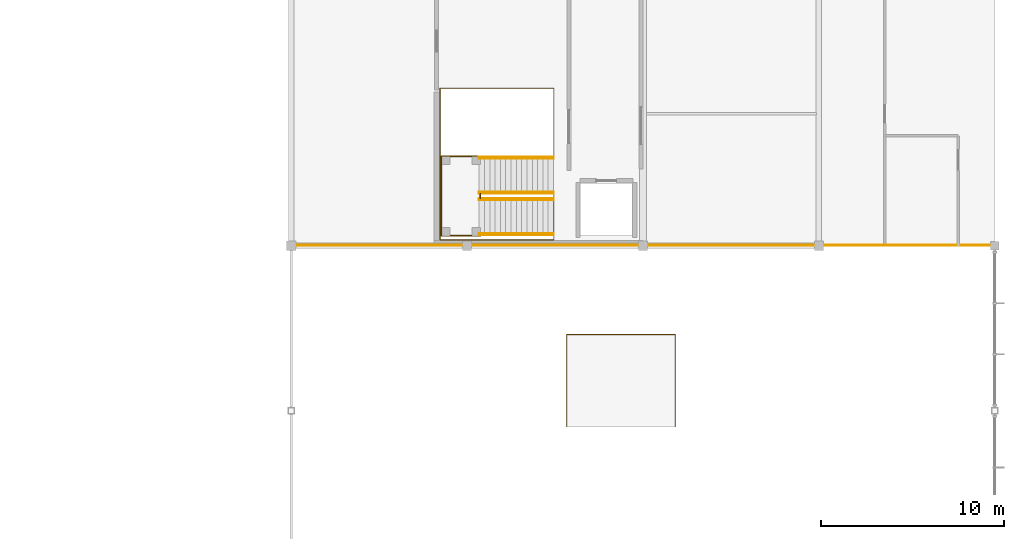
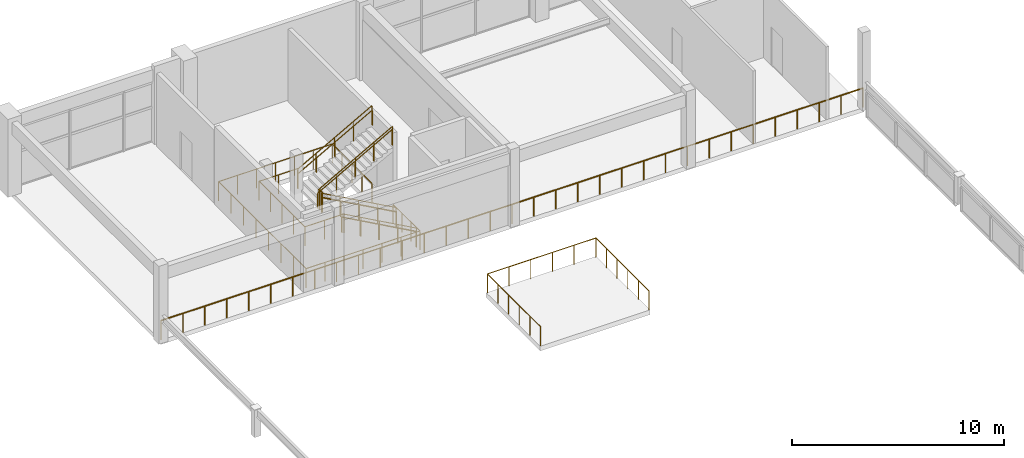
# One storey, part 87 of 89: 13 railings.
"""IFC4 building model written with IfcOpenShell, lengths in metres."""

from ifc_helpers import new_model, si_unit, direction, frame, origin, origin_2d, place, context, subcontext, project, spatial, circle, extrude, material, type_object, element, save


model = new_model("IFC4")

# Units and contexts
model_context = context("Model", 3, precision=1e-05, world=origin(), true_north=direction((0.0, 1.0)))
body_context = subcontext(model_context, "Body", "Model", "MODEL_VIEW")
ifc_project = project(units=[si_unit("LENGTHUNIT", "METRE"), si_unit("AREAUNIT", "SQUARE_METRE"), si_unit("VOLUMEUNIT", "CUBIC_METRE"), si_unit("PLANEANGLEUNIT", "RADIAN"), si_unit("MASSUNIT", "GRAM", prefix="KILO")], contexts=[model_context])

# Site, building, storey
site_placement = place(None, origin())
site = spatial("IfcSite", under=ifc_project, at=site_placement, CompositionType="ELEMENT")
building_placement = place(site_placement, origin())
building = spatial("IfcBuilding", under=site, at=building_placement, Name="Suirenkawa Promenade Aquatics Centre", CompositionType="ELEMENT")
storey_placement = place(building_placement, frame((0.0, 0.0, 9.60009765625)))
storey = spatial("IfcBuildingStorey", under=building, at=storey_placement, Name="L02", CompositionType="ELEMENT", Elevation=9.60009765625)

# Railings
ifc_material = material(Name="Marine-grade stainless steel Grade 316L", Category="steel")
railing_type_1 = type_object("IfcRailingType", Name="RLT-BALUSTRADE-1120", PredefinedType="BALUSTRADE", material=ifc_material)
railing_1_placement = place(storey_placement, frame((156.0400390625, 86.43994140625, 0.0)))
element("IfcRailing", 1, at=railing_1_placement, inside=storey, type_object=railing_type_1, Name="Balustrade BAL-01 RL-0430", PredefinedType="BALUSTRADE", context=body_context, shape_type="SweptSolid", body=[
    extrude(circle(Radius=0.02392578125, at=origin_2d()), frame((0.0, 0.0, 1.09619140625), z_axis=(1.0, 0.0, 0.0), x_axis=(0.0, 1.0, 0.0)), (0.0, 0.0, 1.0), 38.320068359375),
    extrude(circle(Radius=0.02099609375, at=origin_2d()), origin(), (0.0, 0.0, 1.0), 1.072021484375),
    extrude(circle(Radius=0.02099609375, at=origin_2d()), frame((1.197509765625, 0.0, 0.0)), (0.0, 0.0, 1.0), 1.072021484375),
    extrude(circle(Radius=0.02099609375, at=origin_2d()), frame((2.39501953125, 0.0, 0.0)), (0.0, 0.0, 1.0), 1.072021484375),
    extrude(circle(Radius=0.02099609375, at=origin_2d()), frame((3.592529296875, 0.0, 0.0)), (0.0, 0.0, 1.0), 1.072021484375),
    extrude(circle(Radius=0.02099609375, at=origin_2d()), frame((4.7900390625, 0.0, 0.0)), (0.0, 0.0, 1.0), 1.072021484375),
    extrude(circle(Radius=0.02099609375, at=origin_2d()), frame((5.987548828125, 0.0, 0.0)), (0.0, 0.0, 1.0), 1.072021484375),
    extrude(circle(Radius=0.02099609375, at=origin_2d()), frame((7.18505859375, 0.0, 0.0)), (0.0, 0.0, 1.0), 1.072021484375),
    extrude(circle(Radius=0.02099609375, at=origin_2d()), frame((8.382568359375, 0.0, 0.0)), (0.0, 0.0, 1.0), 1.072021484375),
    extrude(circle(Radius=0.02099609375, at=origin_2d()), frame((9.580078125, 0.0, 0.0)), (0.0, 0.0, 1.0), 1.072021484375),
    extrude(circle(Radius=0.02099609375, at=origin_2d()), frame((10.777587890625, 0.0, 0.0)), (0.0, 0.0, 1.0), 1.072021484375),
    extrude(circle(Radius=0.02099609375, at=origin_2d()), frame((11.97509765625, 0.0, 0.0)), (0.0, 0.0, 1.0), 1.072021484375),
    extrude(circle(Radius=0.02099609375, at=origin_2d()), frame((13.172607421875, 0.0, 0.0)), (0.0, 0.0, 1.0), 1.072021484375),
    extrude(circle(Radius=0.02099609375, at=origin_2d()), frame((14.3701171875, 0.0, 0.0)), (0.0, 0.0, 1.0), 1.072021484375),
    extrude(circle(Radius=0.02099609375, at=origin_2d()), frame((15.567626953125, 0.0, 0.0)), (0.0, 0.0, 1.0), 1.072021484375),
    extrude(circle(Radius=0.02099609375, at=origin_2d()), frame((16.76513671875, 0.0, 0.0)), (0.0, 0.0, 1.0), 1.072021484375),
    extrude(circle(Radius=0.02099609375, at=origin_2d()), frame((17.962646484375, 0.0, 0.0)), (0.0, 0.0, 1.0), 1.072021484375),
    extrude(circle(Radius=0.02099609375, at=origin_2d()), frame((19.16015625, 0.0, 0.0)), (0.0, 0.0, 1.0), 1.072021484375),
    extrude(circle(Radius=0.02099609375, at=origin_2d()), frame((20.357421875, 0.0, 0.0)), (0.0, 0.0, 1.0), 1.072021484375),
    extrude(circle(Radius=0.02099609375, at=origin_2d()), frame((21.554931640625, 0.0, 0.0)), (0.0, 0.0, 1.0), 1.072021484375),
    extrude(circle(Radius=0.02099609375, at=origin_2d()), frame((22.75244140625, 0.0, 0.0)), (0.0, 0.0, 1.0), 1.072021484375),
    extrude(circle(Radius=0.02099609375, at=origin_2d()), frame((23.949951171875, 0.0, 0.0)), (0.0, 0.0, 1.0), 1.072021484375),
    extrude(circle(Radius=0.02099609375, at=origin_2d()), frame((25.1474609375, 0.0, 0.0)), (0.0, 0.0, 1.0), 1.072021484375),
    extrude(circle(Radius=0.02099609375, at=origin_2d()), frame((26.344970703125, 0.0, 0.0)), (0.0, 0.0, 1.0), 1.072021484375),
    extrude(circle(Radius=0.02099609375, at=origin_2d()), frame((27.54248046875, 0.0, 0.0)), (0.0, 0.0, 1.0), 1.072021484375),
    extrude(circle(Radius=0.02099609375, at=origin_2d()), frame((28.739990234375, 0.0, 0.0)), (0.0, 0.0, 1.0), 1.072021484375),
    extrude(circle(Radius=0.02099609375, at=origin_2d()), frame((29.9375, 0.0, 0.0)), (0.0, 0.0, 1.0), 1.072021484375),
    extrude(circle(Radius=0.02099609375, at=origin_2d()), frame((31.135009765625, 0.0, 0.0)), (0.0, 0.0, 1.0), 1.072021484375),
    extrude(circle(Radius=0.02099609375, at=origin_2d()), frame((32.33251953125, 0.0, 0.0)), (0.0, 0.0, 1.0), 1.072021484375),
    extrude(circle(Radius=0.02099609375, at=origin_2d()), frame((33.530029296875, 0.0, 0.0)), (0.0, 0.0, 1.0), 1.072021484375),
    extrude(circle(Radius=0.02099609375, at=origin_2d()), frame((34.7275390625, 0.0, 0.0)), (0.0, 0.0, 1.0), 1.072021484375),
    extrude(circle(Radius=0.02099609375, at=origin_2d()), frame((35.925048828125, 0.0, 0.0)), (0.0, 0.0, 1.0), 1.072021484375),
    extrude(circle(Radius=0.02099609375, at=origin_2d()), frame((37.12255859375, 0.0, 0.0)), (0.0, 0.0, 1.0), 1.072021484375),
    extrude(circle(Radius=0.02099609375, at=origin_2d()), frame((38.320068359375, 0.0, 0.0)), (0.0, 0.0, 1.0), 1.072021484375),
])
railing_type_2 = type_object("IfcRailingType", Name="RLT-GUARD-1120", PredefinedType="GUARDRAIL", material=ifc_material)
for number, where, name in (
    (2, (170.31494140625, 88.9599609375, 0.0), "Guardrail GRD-01 RL-0171"),
    (3, (170.31494140625, 87.0, 0.0), "Guardrail GRD-01 RL-0173"),
):
    element("IfcRailing", number, at=place(storey_placement, frame(where)), inside=storey, type_object=railing_type_2, Name=name, PredefinedType="GUARDRAIL", context=body_context, shape_type="SweptSolid", body=[
        extrude(circle(Radius=0.02392578125, at=origin_2d()), frame((0.0, 0.0, 1.09619140625), z_axis=(-0.874667864299, 0.0, 0.484722732254), x_axis=(0.0, -1.0, 0.0)), (0.0, 0.0, 1.0), 4.641845703125),
        extrude(circle(Radius=0.02099609375, at=origin_2d()), origin(), (0.0, 0.0, 1.0), 1.072021484375),
        extrude(circle(Radius=0.02099609375, at=origin_2d()), frame((-1.01513671875, 0.0, 0.5625)), (0.0, 0.0, 1.0), 1.072021484375),
        extrude(circle(Radius=0.02099609375, at=origin_2d()), frame((-2.030029296875, 0.0, 1.125)), (0.0, 0.0, 1.0), 1.072021484375),
        extrude(circle(Radius=0.02099609375, at=origin_2d()), frame((-3.044921875, 0.0, 1.6875)), (0.0, 0.0, 1.0), 1.072021484375),
        extrude(circle(Radius=0.02099609375, at=origin_2d()), frame((-4.06005859375, 0.0, 2.25)), (0.0, 0.0, 1.0), 1.072021484375),
    ])
for number, where, name in (
    (4, (166.2548828125, 89.27001953125, 2.25), "Guardrail GRD-01 RL-0175"),
    (5, (166.2548828125, 91.22998046875, 2.25), "Guardrail GRD-01 RL-0177"),
):
    element("IfcRailing", number, at=place(storey_placement, frame(where)), inside=storey, type_object=railing_type_2, Name=name, PredefinedType="GUARDRAIL", context=body_context, shape_type="SweptSolid", body=[
        extrude(circle(Radius=0.02392578125, at=origin_2d()), frame((0.0, 0.0, 1.09619140625), z_axis=(0.874667864299, 0.0, 0.484722732254), x_axis=(0.0, 1.0, 0.0)), (0.0, 0.0, 1.0), 4.641845703125),
        extrude(circle(Radius=0.02099609375, at=origin_2d()), origin(), (0.0, 0.0, 1.0), 1.072021484375),
        extrude(circle(Radius=0.02099609375, at=origin_2d()), frame((1.01513671875, 0.0, 0.5625)), (0.0, 0.0, 1.0), 1.072021484375),
        extrude(circle(Radius=0.02099609375, at=origin_2d()), frame((2.030029296875, 0.0, 1.125)), (0.0, 0.0, 1.0), 1.072021484375),
        extrude(circle(Radius=0.02099609375, at=origin_2d()), frame((3.044921875, 0.0, 1.6875)), (0.0, 0.0, 1.0), 1.072021484375),
        extrude(circle(Radius=0.02099609375, at=origin_2d()), frame((4.06005859375, 0.0, 2.25)), (0.0, 0.0, 1.0), 1.072021484375),
    ])
railing_2_placement = place(storey_placement, frame((166.320068359375, 86.949951171875, 2.25)))
element("IfcRailing", 6, at=railing_2_placement, inside=storey, type_object=railing_type_2, Name="Guardrail GRD-01 RL-0179", PredefinedType="GUARDRAIL", context=body_context, shape_type="SweptSolid", body=[
    extrude(circle(Radius=0.02392578125, at=origin_2d()), frame((0.0, 0.0, 1.09619140625), z_axis=(-1.0, 0.0, 0.0), x_axis=(0.0, -1.0, 0.0)), (0.0, 0.0, 1.0), 2.130126953125),
    extrude(circle(Radius=0.02392578125, at=origin_2d()), frame((-2.130126953125, 0.0, 1.09619140625), z_axis=(0.0, 1.0, 0.0), x_axis=(-1.0, 0.0, 0.0)), (0.0, 0.0, 1.0), 4.330078125),
    extrude(circle(Radius=0.02392578125, at=origin_2d()), frame((-2.130126953125, 4.330078125, 1.09619140625), z_axis=(1.0, 0.0, 0.0), x_axis=(0.0, 1.0, 0.0)), (0.0, 0.0, 1.0), 2.130126953125),
    extrude(circle(Radius=0.02099609375, at=origin_2d()), origin(), (0.0, 0.0, 1.0), 1.072021484375),
    extrude(circle(Radius=0.02099609375, at=origin_2d()), frame((-1.06494140625, 0.0, 0.0)), (0.0, 0.0, 1.0), 1.072021484375),
    extrude(circle(Radius=0.02099609375, at=origin_2d()), frame((-2.130126953125, 0.0, 0.0)), (0.0, 0.0, 1.0), 1.072021484375),
    extrude(circle(Radius=0.02099609375, at=origin_2d()), frame((-2.130126953125, 1.08251953125, 0.0)), (0.0, 0.0, 1.0), 1.072021484375),
    extrude(circle(Radius=0.02099609375, at=origin_2d()), frame((-2.130126953125, 2.1650390625, 0.0)), (0.0, 0.0, 1.0), 1.072021484375),
    extrude(circle(Radius=0.02099609375, at=origin_2d()), frame((-2.130126953125, 3.24755859375, 0.0)), (0.0, 0.0, 1.0), 1.072021484375),
    extrude(circle(Radius=0.02099609375, at=origin_2d()), frame((-2.130126953125, 4.330078125, 0.0)), (0.0, 0.0, 1.0), 1.072021484375),
    extrude(circle(Radius=0.02099609375, at=origin_2d()), frame((-1.06494140625, 4.330078125, 0.0)), (0.0, 0.0, 1.0), 1.072021484375),
    extrude(circle(Radius=0.02099609375, at=origin_2d()), frame((0.0, 4.330078125, 0.0)), (0.0, 0.0, 1.0), 1.072021484375),
])
railing_3_placement = place(storey_placement, frame((166.320068359375, 88.989990234375, 2.25)))
element("IfcRailing", 7, at=railing_3_placement, inside=storey, type_object=railing_type_2, Name="Guardrail GRD-01 RL-0180", PredefinedType="GUARDRAIL", context=body_context, shape_type="SweptSolid", body=[
    extrude(circle(Radius=0.02392578125, at=origin_2d()), frame((0.0, 0.0, 1.09619140625), z_axis=(0.0, 1.0, 0.0), x_axis=(-1.0, 0.0, 0.0)), (0.0, 0.0, 1.0), 0.25),
    extrude(circle(Radius=0.02099609375, at=origin_2d()), origin(), (0.0, 0.0, 1.0), 1.072021484375),
    extrude(circle(Radius=0.02099609375, at=origin_2d()), frame((0.0, 0.25, 0.0)), (0.0, 0.0, 1.0), 1.072021484375),
])
railing_4_placement = place(storey_placement, frame((170.330078125, 91.260009765625, 0.0)))
element("IfcRailing", 8, at=railing_4_placement, inside=storey, type_object=railing_type_2, Name="Guardrail GRD-01 RL-0418", PredefinedType="GUARDRAIL", context=body_context, shape_type="SweptSolid", body=[
    extrude(circle(Radius=0.02392578125, at=origin_2d()), frame((0.0, 0.0, 1.09619140625), z_axis=(0.0, 1.0, 0.0), x_axis=(-1.0, 0.0, 0.0)), (0.0, 0.0, 1.0), 3.739990234375),
    extrude(circle(Radius=0.02392578125, at=origin_2d()), frame((0.0, 3.739990234375, 1.09619140625), z_axis=(-1.0, 0.0, 0.0), x_axis=(0.0, -1.0, 0.0)), (0.0, 0.0, 1.0), 6.2099609375),
    extrude(circle(Radius=0.02392578125, at=origin_2d()), frame((-6.2099609375, 3.739990234375, 1.09619140625), z_axis=(0.0, -1.0, 0.0), x_axis=(1.0, 0.0, 0.0)), (0.0, 0.0, 1.0), 8.280029296875),
    extrude(circle(Radius=0.02392578125, at=origin_2d()), frame((-6.2099609375, -4.5400390625, 1.09619140625), z_axis=(1.0, 0.0, 0.0), x_axis=(0.0, 1.0, 0.0)), (0.0, 0.0, 1.0), 6.2099609375),
    extrude(circle(Radius=0.02392578125, at=origin_2d()), frame((0.0, -4.5400390625, 1.09619140625), z_axis=(0.0, 1.0, 0.0), x_axis=(-1.0, 0.0, 0.0)), (0.0, 0.0, 1.0), 2.52001953125),
    extrude(circle(Radius=0.02099609375, at=origin_2d()), origin(), (0.0, 0.0, 1.0), 1.072021484375),
    extrude(circle(Radius=0.02099609375, at=origin_2d()), frame((0.0, 0.93505859375, 0.0)), (0.0, 0.0, 1.0), 1.072021484375),
    extrude(circle(Radius=0.02099609375, at=origin_2d()), frame((0.0, 1.8701171875, 0.0)), (0.0, 0.0, 1.0), 1.072021484375),
    extrude(circle(Radius=0.02099609375, at=origin_2d()), frame((0.0, 2.804931640625, 0.0)), (0.0, 0.0, 1.0), 1.072021484375),
    extrude(circle(Radius=0.02099609375, at=origin_2d()), frame((0.0, 3.739990234375, 0.0)), (0.0, 0.0, 1.0), 1.072021484375),
    extrude(circle(Radius=0.02099609375, at=origin_2d()), frame((-1.034912109375, 3.739990234375, 0.0)), (0.0, 0.0, 1.0), 1.072021484375),
    extrude(circle(Radius=0.02099609375, at=origin_2d()), frame((-2.070068359375, 3.739990234375, 0.0)), (0.0, 0.0, 1.0), 1.072021484375),
    extrude(circle(Radius=0.02099609375, at=origin_2d()), frame((-3.10498046875, 3.739990234375, 0.0)), (0.0, 0.0, 1.0), 1.072021484375),
    extrude(circle(Radius=0.02099609375, at=origin_2d()), frame((-4.139892578125, 3.739990234375, 0.0)), (0.0, 0.0, 1.0), 1.072021484375),
    extrude(circle(Radius=0.02099609375, at=origin_2d()), frame((-5.175048828125, 3.739990234375, 0.0)), (0.0, 0.0, 1.0), 1.072021484375),
    extrude(circle(Radius=0.02099609375, at=origin_2d()), frame((-6.2099609375, 3.739990234375, 0.0)), (0.0, 0.0, 1.0), 1.072021484375),
    extrude(circle(Radius=0.02099609375, at=origin_2d()), frame((-6.2099609375, 2.55712890625, 0.0)), (0.0, 0.0, 1.0), 1.072021484375),
    extrude(circle(Radius=0.02099609375, at=origin_2d()), frame((-6.2099609375, 1.374267578125, 0.0)), (0.0, 0.0, 1.0), 1.072021484375),
    extrude(circle(Radius=0.02099609375, at=origin_2d()), frame((-6.2099609375, 0.19140625, 0.0)), (0.0, 0.0, 1.0), 1.072021484375),
    extrude(circle(Radius=0.02099609375, at=origin_2d()), frame((-6.2099609375, -0.991455078125, 0.0)), (0.0, 0.0, 1.0), 1.072021484375),
    extrude(circle(Radius=0.02099609375, at=origin_2d()), frame((-6.2099609375, -2.17431640625, 0.0)), (0.0, 0.0, 1.0), 1.072021484375),
    extrude(circle(Radius=0.02099609375, at=origin_2d()), frame((-6.2099609375, -3.357177734375, 0.0)), (0.0, 0.0, 1.0), 1.072021484375),
    extrude(circle(Radius=0.02099609375, at=origin_2d()), frame((-6.2099609375, -4.5400390625, 0.0)), (0.0, 0.0, 1.0), 1.072021484375),
    extrude(circle(Radius=0.02099609375, at=origin_2d()), frame((-5.175048828125, -4.5400390625, 0.0)), (0.0, 0.0, 1.0), 1.072021484375),
    extrude(circle(Radius=0.02099609375, at=origin_2d()), frame((-4.139892578125, -4.5400390625, 0.0)), (0.0, 0.0, 1.0), 1.072021484375),
    extrude(circle(Radius=0.02099609375, at=origin_2d()), frame((-3.10498046875, -4.5400390625, 0.0)), (0.0, 0.0, 1.0), 1.072021484375),
    extrude(circle(Radius=0.02099609375, at=origin_2d()), frame((-2.070068359375, -4.5400390625, 0.0)), (0.0, 0.0, 1.0), 1.072021484375),
    extrude(circle(Radius=0.02099609375, at=origin_2d()), frame((-1.034912109375, -4.5400390625, 0.0)), (0.0, 0.0, 1.0), 1.072021484375),
    extrude(circle(Radius=0.02099609375, at=origin_2d()), frame((0.0, -4.5400390625, 0.0)), (0.0, 0.0, 1.0), 1.072021484375),
    extrude(circle(Radius=0.02099609375, at=origin_2d()), frame((0.0, -3.699951171875, 0.0)), (0.0, 0.0, 1.0), 1.072021484375),
    extrude(circle(Radius=0.02099609375, at=origin_2d()), frame((0.0, -2.860107421875, 0.0)), (0.0, 0.0, 1.0), 1.072021484375),
    extrude(circle(Radius=0.02099609375, at=origin_2d()), frame((0.0, -2.02001953125, 0.0)), (0.0, 0.0, 1.0), 1.072021484375),
])
railing_5_placement = place(storey_placement, frame((171.0400390625, 76.5400390625, 0.39990234375)))
element("IfcRailing", 9, at=railing_5_placement, inside=storey, type_object=railing_type_2, Name="Guardrail GRD-01 RL-0436", PredefinedType="GUARDRAIL", context=body_context, shape_type="SweptSolid", body=[
    extrude(circle(Radius=0.02392578125, at=origin_2d()), frame((0.0, 0.0, 1.09619140625), z_axis=(0.0, 1.0, 0.0), x_axis=(-1.0, 0.0, 0.0)), (0.0, 0.0, 1.0), 5.02001953125),
    extrude(circle(Radius=0.02392578125, at=origin_2d()), frame((0.0, 5.02001953125, 1.09619140625), z_axis=(1.0, 0.0, 0.0), x_axis=(0.0, 1.0, 0.0)), (0.0, 0.0, 1.0), 5.919921875),
    extrude(circle(Radius=0.02392578125, at=origin_2d()), frame((5.919921875, 5.02001953125, 1.09619140625), z_axis=(0.0, -1.0, 0.0), x_axis=(1.0, 0.0, 0.0)), (0.0, 0.0, 1.0), 5.02001953125),
    extrude(circle(Radius=0.02099609375, at=origin_2d()), origin(), (0.0, 0.0, 1.0), 1.072021484375),
    extrude(circle(Radius=0.02099609375, at=origin_2d()), frame((0.0, 1.00390625, 0.0)), (0.0, 0.0, 1.0), 1.072021484375),
    extrude(circle(Radius=0.02099609375, at=origin_2d()), frame((0.0, 2.008056640625, 0.0)), (0.0, 0.0, 1.0), 1.072021484375),
    extrude(circle(Radius=0.02099609375, at=origin_2d()), frame((0.0, 3.011962890625, 0.0)), (0.0, 0.0, 1.0), 1.072021484375),
    extrude(circle(Radius=0.02099609375, at=origin_2d()), frame((0.0, 4.01611328125, 0.0)), (0.0, 0.0, 1.0), 1.072021484375),
    extrude(circle(Radius=0.02099609375, at=origin_2d()), frame((0.0, 5.02001953125, 0.0)), (0.0, 0.0, 1.0), 1.072021484375),
    extrude(circle(Radius=0.02099609375, at=origin_2d()), frame((1.18408203125, 5.02001953125, 0.0)), (0.0, 0.0, 1.0), 1.072021484375),
    extrude(circle(Radius=0.02099609375, at=origin_2d()), frame((2.367919921875, 5.02001953125, 0.0)), (0.0, 0.0, 1.0), 1.072021484375),
    extrude(circle(Radius=0.02099609375, at=origin_2d()), frame((3.552001953125, 5.02001953125, 0.0)), (0.0, 0.0, 1.0), 1.072021484375),
    extrude(circle(Radius=0.02099609375, at=origin_2d()), frame((4.73583984375, 5.02001953125, 0.0)), (0.0, 0.0, 1.0), 1.072021484375),
    extrude(circle(Radius=0.02099609375, at=origin_2d()), frame((5.919921875, 5.02001953125, 0.0)), (0.0, 0.0, 1.0), 1.072021484375),
    extrude(circle(Radius=0.02099609375, at=origin_2d()), frame((5.919921875, 4.01611328125, 0.0)), (0.0, 0.0, 1.0), 1.072021484375),
    extrude(circle(Radius=0.02099609375, at=origin_2d()), frame((5.919921875, 3.011962890625, 0.0)), (0.0, 0.0, 1.0), 1.072021484375),
    extrude(circle(Radius=0.02099609375, at=origin_2d()), frame((5.919921875, 2.008056640625, 0.0)), (0.0, 0.0, 1.0), 1.072021484375),
    extrude(circle(Radius=0.02099609375, at=origin_2d()), frame((5.919921875, 1.00390625, 0.0)), (0.0, 0.0, 1.0), 1.072021484375),
    extrude(circle(Radius=0.02099609375, at=origin_2d()), frame((5.919921875, 0.0, 0.0)), (0.0, 0.0, 1.0), 1.072021484375),
])
railing_type_3 = type_object("IfcRailingType", Name="RLT-HANDRAIL-900", PredefinedType="HANDRAIL", material=ifc_material)
for number, where, name in (
    (10, (170.31494140625, 88.909912109375, 0.0), "Handrail HRL-01 RL-0172"),
    (11, (170.31494140625, 87.050048828125, 0.0), "Handrail HRL-01 RL-0174"),
):
    element("IfcRailing", number, at=place(storey_placement, frame(where)), inside=storey, type_object=railing_type_3, Name=name, PredefinedType="HANDRAIL", context=body_context, shape_type="SweptSolid", body=[
        extrude(circle(Radius=0.02392578125, at=origin_2d()), frame((0.0, 0.0, 0.8759765625), z_axis=(-0.874667864299, 0.0, 0.484722732254), x_axis=(0.0, -1.0, 0.0)), (0.0, 0.0, 1.0), 4.641845703125),
        extrude(circle(Radius=0.02099609375, at=origin_2d()), origin(), (0.0, 0.0, 1.0), 0.851806640625),
        extrude(circle(Radius=0.02099609375, at=origin_2d()), frame((-1.01513671875, 0.0, 0.5625)), (0.0, 0.0, 1.0), 0.851806640625),
        extrude(circle(Radius=0.02099609375, at=origin_2d()), frame((-2.030029296875, 0.0, 1.125)), (0.0, 0.0, 1.0), 0.851806640625),
        extrude(circle(Radius=0.02099609375, at=origin_2d()), frame((-3.044921875, 0.0, 1.6875)), (0.0, 0.0, 1.0), 0.851806640625),
        extrude(circle(Radius=0.02099609375, at=origin_2d()), frame((-4.06005859375, 0.0, 2.25)), (0.0, 0.0, 1.0), 0.851806640625),
    ])
for number, where, name in (
    (12, (166.2548828125, 89.320068359375, 2.25), "Handrail HRL-01 RL-0176"),
    (13, (166.2548828125, 91.179931640625, 2.25), "Handrail HRL-01 RL-0178"),
):
    element("IfcRailing", number, at=place(storey_placement, frame(where)), inside=storey, type_object=railing_type_3, Name=name, PredefinedType="HANDRAIL", context=body_context, shape_type="SweptSolid", body=[
        extrude(circle(Radius=0.02392578125, at=origin_2d()), frame((0.0, 0.0, 0.8759765625), z_axis=(0.874667864299, 0.0, 0.484722732254), x_axis=(0.0, 1.0, 0.0)), (0.0, 0.0, 1.0), 4.641845703125),
        extrude(circle(Radius=0.02099609375, at=origin_2d()), origin(), (0.0, 0.0, 1.0), 0.851806640625),
        extrude(circle(Radius=0.02099609375, at=origin_2d()), frame((1.01513671875, 0.0, 0.5625)), (0.0, 0.0, 1.0), 0.851806640625),
        extrude(circle(Radius=0.02099609375, at=origin_2d()), frame((2.030029296875, 0.0, 1.125)), (0.0, 0.0, 1.0), 0.851806640625),
        extrude(circle(Radius=0.02099609375, at=origin_2d()), frame((3.044921875, 0.0, 1.6875)), (0.0, 0.0, 1.0), 0.851806640625),
        extrude(circle(Radius=0.02099609375, at=origin_2d()), frame((4.06005859375, 0.0, 2.25)), (0.0, 0.0, 1.0), 0.851806640625),
    ])

save(model, "model.ifc")
